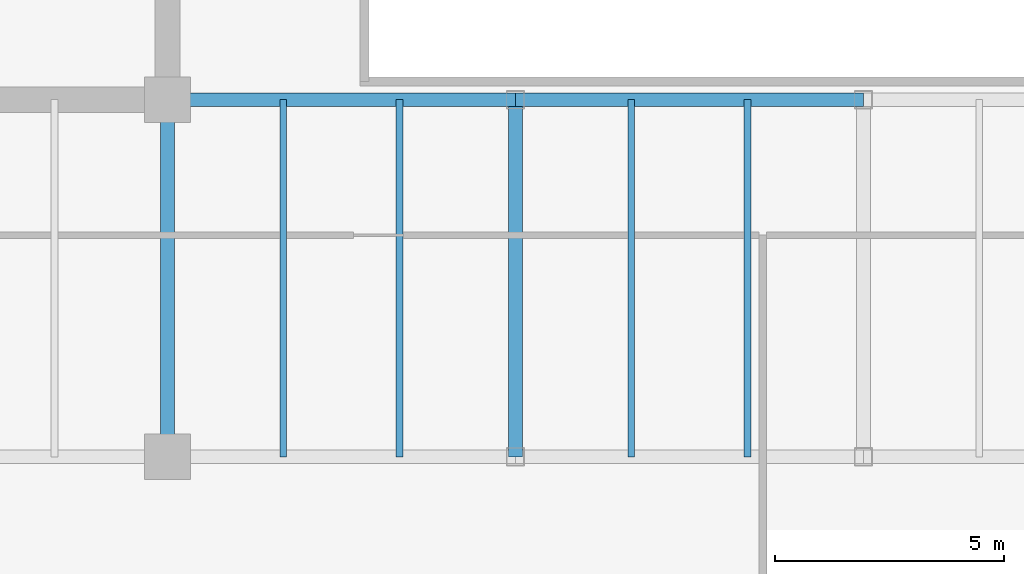
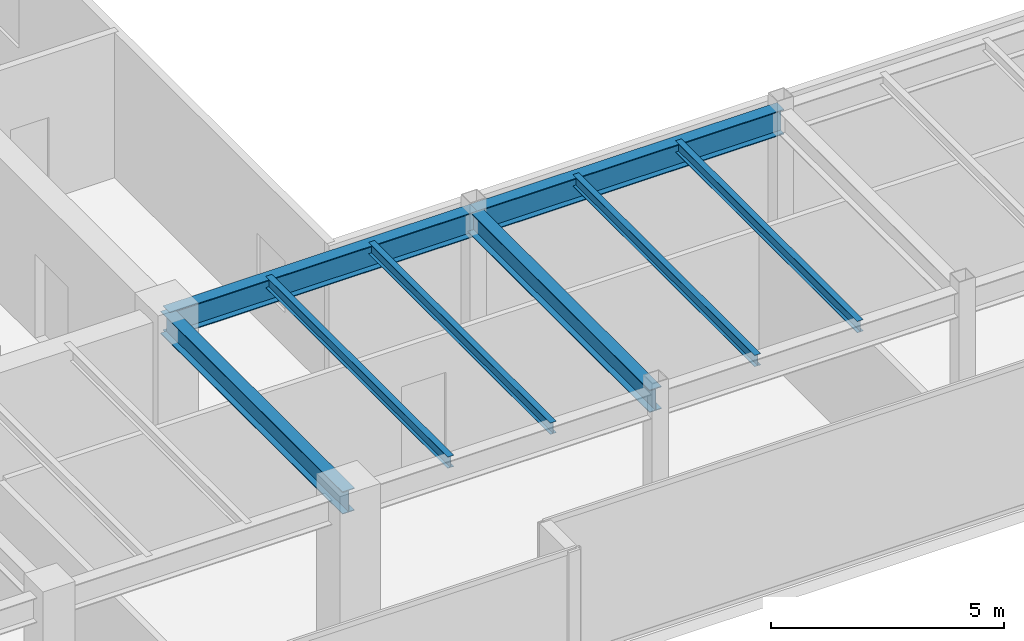
# One storey, part 8 of 33: 8 beams.
"""IFC4 building model written with IfcOpenShell, lengths in metres."""

import ifcopenshell
import ifcopenshell.guid

model = None  # the IFC model being written
_history = None  # IfcOwnerHistory: only IFC2X3 demands one
_inside = {}  # id of a spatial element -> (the spatial element, [elements in it])
_under = {}  # id of a project, library or spatial element -> (it, [spatial elements below it])
_declared = {}  # id of a project -> (the project, [libraries it declares])
_typed = {}  # id of a type object -> (the type object, [elements of that type])
_made_of = {}  # id of a material, layer set ... -> (it, [elements and type objects made of it])


def new_model(schema):
    """Start an empty IFC model of exactly this schema.

    Asked for "IFC4X3", IfcOpenShell would pick the latest addendum, in which some entities
    have other attributes; the version numbers below select the first issue.
    IFC2X3 requires an IfcOwnerHistory on every rooted entity: one is made here for all.
    """
    global model, _history
    if schema == "IFC4X3":
        model = ifcopenshell.file(schema_version=(4, 3, 0, 0))
    else:
        model = ifcopenshell.file(schema=schema)
    _inside.clear()
    _under.clear()
    _declared.clear()
    _typed.clear()
    _made_of.clear()
    _history = None
    if model.schema == "IFC2X3":
        org = make("IfcOrganization", Name="unknown")
        user = make(
            "IfcPersonAndOrganization",
            ThePerson=make("IfcPerson", FamilyName="unknown"),
            TheOrganization=org,
        )
        app = make(
            "IfcApplication",
            ApplicationDeveloper=org,
            Version="unknown",
            ApplicationFullName="unknown",
            ApplicationIdentifier="unknown",
        )
        _history = make(
            "IfcOwnerHistory",
            OwningUser=user,
            OwningApplication=app,
            ChangeAction="ADDED",
            CreationDate=0,
        )
    return model


def make(cls, **values):
    """One entity of the class cls with the attributes given. An attribute that is None is left unset."""
    return model.create_entity(
        cls, **{name: value for name, value in values.items() if value is not None}
    )


def rooted(cls, **values):
    """An entity with a GlobalId (a new one), such as an element, a storey or a relation."""
    return make(cls, GlobalId=ifcopenshell.guid.new(), OwnerHistory=_history, **values)


def si_unit(unit_type, name, prefix=None):
    """IfcSIUnit, for example si_unit("LENGTHUNIT", "METRE", prefix="MILLI")."""
    return make("IfcSIUnit", UnitType=unit_type, Prefix=prefix, Name=name)


def assignment(units):
    """IfcUnitAssignment: the units of a project."""
    return None if units is None else make("IfcUnitAssignment", Units=units)


def point(xyz):
    """IfcCartesianPoint."""
    return None if xyz is None else make("IfcCartesianPoint", Coordinates=xyz)


def direction(xyz):
    """IfcDirection."""
    return None if xyz is None else make("IfcDirection", DirectionRatios=xyz)


def frame(location, z_axis=None, x_axis=None):
    """IfcAxis2Placement3D, a coordinate frame: its origin and axes. An axis left out is left unset."""
    return make(
        "IfcAxis2Placement3D",
        Location=point(location),
        Axis=direction(z_axis),
        RefDirection=direction(x_axis),
    )


def frame_2d(location, x_axis=None):
    """IfcAxis2Placement2D, a coordinate frame in the plane: its origin and x axis."""
    return make(
        "IfcAxis2Placement2D", Location=point(location), RefDirection=direction(x_axis)
    )


def origin():
    """The frame at (0, 0, 0) with its axes left unset."""
    return frame((0.0, 0.0, 0.0))


def origin_2d():
    """The frame at (0, 0) in the plane with its x axis left unset."""
    return frame_2d((0.0, 0.0))


def place(relative_to, where):
    """IfcLocalPlacement: puts the frame where relative to a parent placement (None: the world)."""
    return make(
        "IfcLocalPlacement", PlacementRelTo=relative_to, RelativePlacement=where
    )


def context(
    kind, dimensions, precision=None, world=None, true_north=None, identifier=None
):
    """IfcGeometricRepresentationContext, for example the 3D "Model" context."""
    return make(
        "IfcGeometricRepresentationContext",
        ContextIdentifier=identifier,
        ContextType=kind,
        CoordinateSpaceDimension=dimensions,
        Precision=precision,
        WorldCoordinateSystem=world,
        TrueNorth=true_north,
    )


def subcontext(parent, identifier, kind, view, scale=None):
    """IfcGeometricRepresentationSubContext, for example "Body" below "Model"."""
    return make(
        "IfcGeometricRepresentationSubContext",
        ContextIdentifier=identifier,
        ContextType=kind,
        ParentContext=parent,
        TargetScale=scale,
        TargetView=view,
    )


def project(units=None, contexts=None):
    """IfcProject with its units and contexts."""
    return rooted(
        "IfcProject",
        Name="project",
        RepresentationContexts=contexts,
        UnitsInContext=assignment(units),
    )


def spatial(cls, under=None, at=None, **own):
    """A site, building, storey or space (cls), placed at a placement, below another one or the project."""
    s = rooted(cls, ObjectPlacement=at, **own)
    if under is not None:
        _under.setdefault(under.id(), (under, []))[1].append(s)
    return s


def profile(cls, at=None, kind="AREA", **sizes):
    """A parametric profile (cls). Its sizes go by their IFC names, for example OverallWidth=200.0."""
    return make(cls, ProfileType=kind, Position=at, **sizes)


def i_section(**sizes):
    """IfcIShapeProfileDef."""
    return profile("IfcIShapeProfileDef", **sizes)


def extrude(swept, where, along, depth):
    """IfcExtrudedAreaSolid: the profile swept, set in the frame where, extruded along a direction by depth."""
    return make(
        "IfcExtrudedAreaSolid",
        SweptArea=swept,
        Position=where,
        ExtrudedDirection=direction(along),
        Depth=depth,
    )


def shape(context_of_items, identifier, shape_type, items):
    """IfcShapeRepresentation: the items that make up one representation, for example the "Body"."""
    return make(
        "IfcShapeRepresentation",
        ContextOfItems=context_of_items,
        RepresentationIdentifier=identifier,
        RepresentationType=shape_type,
        Items=items,
    )


def source(mapping_origin, context_of_items, identifier, shape_type, items):
    """IfcRepresentationMap: a shape defined once, which mapped items show again and again."""
    return make(
        "IfcRepresentationMap",
        MappingOrigin=mapping_origin,
        MappedRepresentation=shape(context_of_items, identifier, shape_type, items),
    )


def transform(
    local_origin,
    x_axis=None,
    y_axis=None,
    z_axis=None,
    scale=None,
    scale2=None,
    scale3=None,
    uniform=True,
):
    """IfcCartesianTransformationOperator3D, or its non-uniform kind. x_axis, y_axis, z_axis: its Axis1, 2, 3."""
    if uniform:
        return make(
            "IfcCartesianTransformationOperator3D",
            Axis1=direction(x_axis),
            Axis2=direction(y_axis),
            LocalOrigin=point(local_origin),
            Scale=scale,
            Axis3=direction(z_axis),
        )
    return make(
        "IfcCartesianTransformationOperator3DnonUniform",
        Axis1=direction(x_axis),
        Axis2=direction(y_axis),
        LocalOrigin=point(local_origin),
        Scale=scale,
        Axis3=direction(z_axis),
        Scale2=scale2,
        Scale3=scale3,
    )


def mapped(mapping_source, mapping_target):
    """IfcMappedItem: shows the shape of a source again, moved by a transform."""
    return make(
        "IfcMappedItem", MappingSource=mapping_source, MappingTarget=mapping_target
    )


def material(Name=None, Category=None):
    """IfcMaterial."""
    return make("IfcMaterial", Name=Name, Category=Category)


def material_profile(
    of_material, cross_section, Name=None, Category=None, Priority=None
):
    """IfcMaterialProfile: a cross section and its material."""
    return make(
        "IfcMaterialProfile",
        Name=Name,
        Material=of_material,
        Profile=cross_section,
        Priority=Priority,
        Category=Category,
    )


def profile_set(profiles, Name=None, composite=None):
    """IfcMaterialProfileSet."""
    return make(
        "IfcMaterialProfileSet",
        Name=Name,
        MaterialProfiles=profiles,
        CompositeProfile=composite,
    )


def made_of(thing, what):
    """Note that an element or type object is made of a material, layer set ...; save() writes the relation."""
    if what is not None:
        _made_of.setdefault(what.id(), (what, []))[1].append(thing)
    return thing


def type_object(cls, material=None, **own):
    """A type object (cls), such as IfcWallType, which elements share."""
    return made_of(rooted(cls, **own), material)


def type_shapes(of_type, sources):
    """Give a type object the sources (RepresentationMaps) that its elements show as mapped items."""
    of_type.RepresentationMaps = sources


def element(
    cls,
    number,
    at=None,
    inside=None,
    cuts=None,
    type_object=None,
    material=None,
    context=None,
    identifier="Body",
    shape_type=None,
    held_by="IfcProductDefinitionShape",
    body=None,
    shapes=None,
    **own,
):
    """One element of the class cls, such as IfcWall. Its Tag is "e" and its number.

    at: its placement. inside: the storey or other place that contains it. cuts: it is an
    opening in that element (IfcRelVoidsElement). A single representation is given by context,
    identifier, shape_type and body (its items); several are given by shapes. held_by: the class
    of the entity that holds the representations. save() writes the other relations.
    """
    e = rooted(cls, Tag="e%d" % number, ObjectPlacement=at, **own)
    if body is not None:
        shapes = [shape(context, identifier, shape_type, body)]
    if shapes is not None:
        e.Representation = make(held_by, Representations=shapes)
    if inside is not None:
        _inside.setdefault(inside.id(), (inside, []))[1].append(e)
    if cuts is not None:
        rooted(
            "IfcRelVoidsElement", RelatingBuildingElement=cuts, RelatedOpeningElement=e
        )
    if type_object is not None:
        _typed.setdefault(type_object.id(), (type_object, []))[1].append(e)
    return made_of(e, material)


def aggregate(whole, parts):
    """IfcRelAggregates: a whole, such as a stair, and the parts it consists of."""
    return rooted("IfcRelAggregates", RelatingObject=whole, RelatedObjects=parts)


def save(model, path):
    """Write the relations noted so far, then the file.

    IfcRelAggregates (storeys below a building ...), IfcRelContainedInSpatialStructure (elements
    in a storey), IfcRelDefinesByType, IfcRelAssociatesMaterial and IfcRelDeclares: one each for
    every whole, place, type object, material and project.
    """
    for whole, parts in _under.values():
        aggregate(whole, parts)
    for where, things in _inside.values():
        rooted(
            "IfcRelContainedInSpatialStructure",
            RelatedElements=things,
            RelatingStructure=where,
        )
    for kind, things in _typed.values():
        rooted("IfcRelDefinesByType", RelatedObjects=things, RelatingType=kind)
    for what, things in _made_of.values():
        rooted("IfcRelAssociatesMaterial", RelatedObjects=things, RelatingMaterial=what)
    for by, libraries in _declared.values():
        rooted("IfcRelDeclares", RelatingContext=by, RelatedDefinitions=libraries)
    model.write(path)


model = new_model("IFC4")

# Units and contexts
model_context = context("Model", 3, precision=1e-05, world=origin(), true_north=direction((0.0, 1.0)))
body_context = subcontext(model_context, "Body", "Model", "MODEL_VIEW")
ifc_project = project(units=[si_unit("LENGTHUNIT", "METRE"), si_unit("AREAUNIT", "SQUARE_METRE"), si_unit("VOLUMEUNIT", "CUBIC_METRE"), si_unit("PLANEANGLEUNIT", "RADIAN"), si_unit("MASSUNIT", "GRAM", prefix="KILO")], contexts=[model_context])

# Site, building, storey
site_placement = place(None, origin())
site = spatial("IfcSite", under=ifc_project, at=site_placement, CompositionType="ELEMENT")
building_placement = place(site_placement, origin())
building = spatial("IfcBuilding", under=site, at=building_placement, Name="Haelvirn Gate Laboratories", CompositionType="ELEMENT")
storey_placement = place(building_placement, frame((0.0, 0.0, 213.699951171875)))
storey = spatial("IfcBuildingStorey", under=building, at=storey_placement, Name="L51", CompositionType="ELEMENT", Elevation=213.699951171875)

# Beams
ifc_material = material(Name="Steel SM355", Category="steel")
ifc_material_profile_1 = material_profile(ifc_material, i_section(OverallWidth=0.14990234375, OverallDepth=0.300048828125, WebThickness=0.006591796875, FlangeThickness=0.009033203125, at=origin_2d()), Name="H-300x150x6.5x9")
ifc_profile_set_1 = profile_set([ifc_material_profile_1], Name="Steel SM355")
beam_type_1 = type_object("IfcBeamType", Name="BM-J-300", PredefinedType="JOIST", material=ifc_profile_set_1)
shared_shape_1 = source(origin(), body_context, "Body", "SweptSolid", [
    extrude(i_section(OverallWidth=0.14990234375, OverallDepth=0.300048828125, WebThickness=0.006591796875, FlangeThickness=0.009033203125, at=origin_2d()), origin(), (0.0, 0.0, 1.0), 7.800048828125),
])
type_shapes(beam_type_1, [shared_shape_1])
for number, where, z_axis, x_axis, name in (
    (1, (24.72998046875, 7.0, 3.650146484375), (0.0, 1.0, 0.0), (-1.0, 0.0, 0.0), "L51 Composite Lab Joist South X24.73"),
    (2, (27.27001953125, 7.0, 3.650146484375), (0.0, 1.0, 0.0), (-1.0, 0.0, 0.0), "L51 Composite Lab Joist South X27.27"),
    (3, (32.330078125, 7.0, 3.650146484375), (0.0, 1.0, 0.0), (-1.0, 0.0, 0.0), "L51 Composite Lab Joist South X32.33"),
    (4, (34.8701171875, 7.0, 3.650146484375), (0.0, 1.0, 0.0), (-1.0, 0.0, 0.0), "L51 Composite Lab Joist South X34.87"),
):
    element("IfcBeam", number, at=place(storey_placement, frame(where, z_axis=z_axis, x_axis=x_axis)), inside=storey, type_object=beam_type_1, Name=name, PredefinedType="JOIST", context=body_context, shape_type="MappedRepresentation", body=[
        mapped(shared_shape_1, transform((0.0, 0.0, 0.0), scale=1.0)),
    ])
ifc_material_profile_2 = material_profile(ifc_material, i_section(OverallWidth=0.300048828125, OverallDepth=0.587890625, WebThickness=0.011962890625, FlangeThickness=0.02001953125, at=origin_2d()), Name="H-588x300x12x20")
ifc_profile_set_2 = profile_set([ifc_material_profile_2], Name="Steel SM355")
beam_type_2 = type_object("IfcBeamType", Name="BM-G-588", PredefinedType="BEAM", material=ifc_profile_set_2)
shared_shape_2 = source(origin(), body_context, "Body", "SweptSolid", [
    extrude(i_section(OverallWidth=0.300048828125, OverallDepth=0.587890625, WebThickness=0.011962890625, FlangeThickness=0.02001953125, at=origin_2d()), origin(), (0.0, 0.0, 1.0), 7.800048828125),
])
type_shapes(beam_type_2, [shared_shape_2])
for number, where, z_axis, x_axis, name in (
    (5, (22.199951171875, 7.0, 3.506103515625), (0.0, 1.0, 0.0), (-1.0, 0.0, 0.0), "L51 Frame Girder X22.2 (7.0-14.8)"),
    (6, (29.800048828125, 7.0, 3.506103515625), (0.0, 1.0, 0.0), (-1.0, 0.0, 0.0), "L51 Frame Girder X29.8 (7.0-14.8)"),
):
    element("IfcBeam", number, at=place(storey_placement, frame(where, z_axis=z_axis, x_axis=x_axis)), inside=storey, type_object=beam_type_2, Name=name, PredefinedType="BEAM", context=body_context, shape_type="MappedRepresentation", body=[
        mapped(shared_shape_2, transform((0.0, 0.0, 0.0), scale=1.0)),
    ])
ifc_material_profile_3 = material_profile(ifc_material, i_section(OverallWidth=0.300048828125, OverallDepth=0.64990234375, WebThickness=0.012939453125, FlangeThickness=0.02197265625, at=origin_2d()), Name="H-650x300x13x22")
ifc_profile_set_3 = profile_set([ifc_material_profile_3], Name="Steel SM355")
beam_type_3 = type_object("IfcBeamType", Name="BM-G-650", PredefinedType="BEAM", material=ifc_profile_set_3)
shared_shape_3 = source(origin(), body_context, "Body", "SweptSolid", [
    extrude(i_section(OverallWidth=0.300048828125, OverallDepth=0.64990234375, WebThickness=0.012939453125, FlangeThickness=0.02197265625, at=origin_2d()), origin(), (0.0, 0.0, 1.0), 7.60009765625),
])
beam_1_placement = place(storey_placement, frame((22.199951171875, 14.800048828125, 3.47509765625), z_axis=(1.0, 0.0, 0.0), x_axis=(0.0, 1.0, 0.0)))
element("IfcBeam", 7, at=beam_1_placement, inside=storey, type_object=beam_type_3, Name="L51 Primary Girder Y14.8 (22.2-29.8)", PredefinedType="BEAM", context=body_context, shape_type="MappedRepresentation", body=[
    mapped(shared_shape_3, transform((0.0, 0.0, 0.0), scale=1.0)),
])
shared_shape_4 = source(origin(), body_context, "Body", "SweptSolid", [
    extrude(i_section(OverallWidth=0.300048828125, OverallDepth=0.64990234375, WebThickness=0.012939453125, FlangeThickness=0.02197265625, at=origin_2d()), origin(), (0.0, 0.0, 1.0), 7.599853515625),
])
type_shapes(beam_type_3, [shared_shape_3, shared_shape_4])
beam_2_placement = place(storey_placement, frame((29.800048828125, 14.800048828125, 3.47509765625), z_axis=(1.0, 0.0, 0.0), x_axis=(0.0, 1.0, 0.0)))
element("IfcBeam", 8, at=beam_2_placement, inside=storey, type_object=beam_type_3, Name="L51 Primary Girder Y14.8 (29.8-37.4)", PredefinedType="BEAM", context=body_context, shape_type="MappedRepresentation", body=[
    mapped(shared_shape_4, transform((0.0, 0.0, 0.0), scale=1.0)),
])

save(model, "model.ifc")
